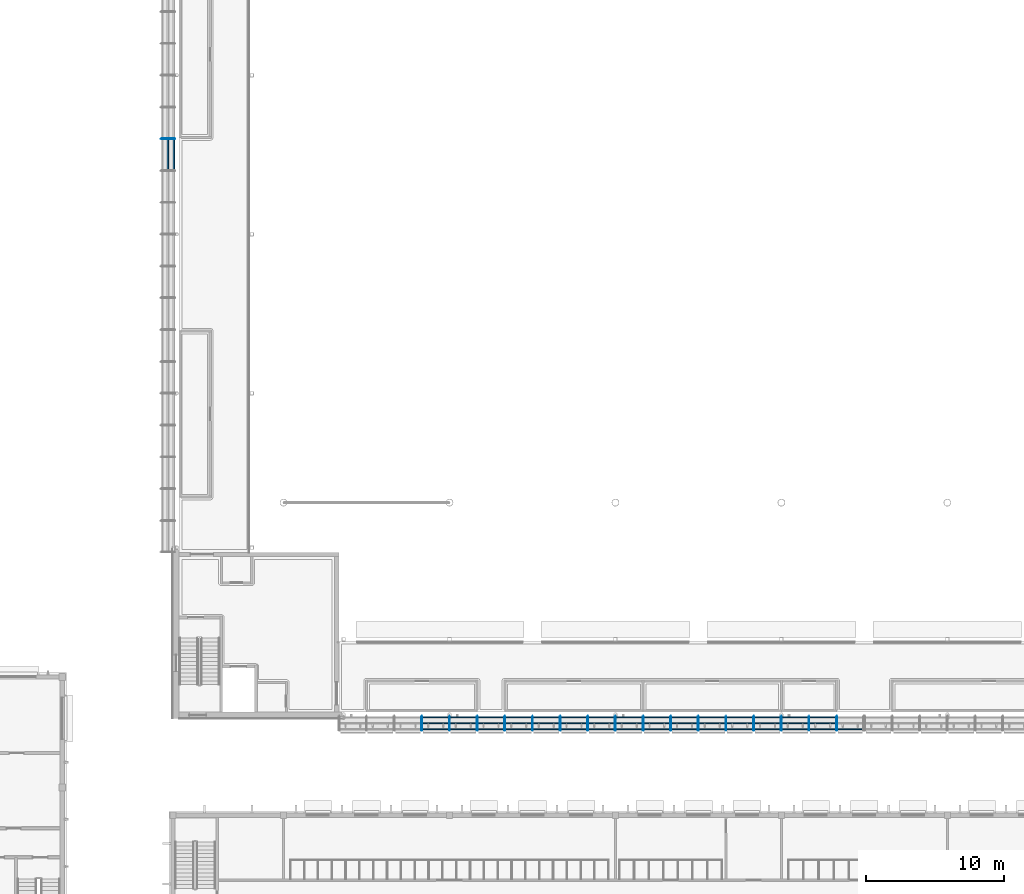
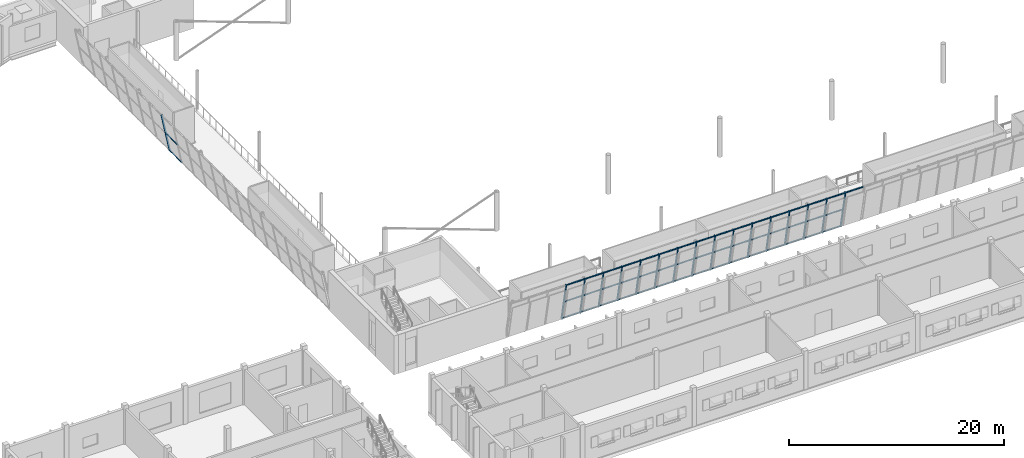
# One storey, part 28 of 115: 65 members, 2 elements without a shape of their own.
"""IFC4 building model written with IfcOpenShell, lengths in metres."""

from ifc_helpers import new_model, si_unit, direction, frame, origin, origin_2d, place, context, subcontext, project, spatial, rectangle, extrude, material, layer, layer_set, material_profile, profile_set, type_object, element, aggregate, save


model = new_model("IFC4")

# Units and contexts
model_context = context("Model", 3, precision=1e-05, world=origin(), true_north=direction((0.0, 1.0)))
body_context = subcontext(model_context, "Body", "Model", "MODEL_VIEW")
ifc_project = project(units=[si_unit("LENGTHUNIT", "METRE"), si_unit("AREAUNIT", "SQUARE_METRE"), si_unit("VOLUMEUNIT", "CUBIC_METRE"), si_unit("PLANEANGLEUNIT", "RADIAN"), si_unit("MASSUNIT", "GRAM", prefix="KILO")], contexts=[model_context])

# Site, building, storey
site_placement = place(None, origin())
site = spatial("IfcSite", under=ifc_project, at=site_placement, CompositionType="ELEMENT")
building_placement = place(site_placement, origin())
building = spatial("IfcBuilding", under=site, at=building_placement, Name="Windward Yard Aquatics Centre", CompositionType="ELEMENT")
storey_placement = place(building_placement, frame((0.0, 0.0, 5.0)))
storey = spatial("IfcBuildingStorey", under=building, at=storey_placement, Name="L01", CompositionType="ELEMENT", Elevation=5.0)

# Curtain wall, members
ifc_material_1 = material(Name="Glass and aluminium curtain wall", Category="aluminium")
ifc_layer = layer(ifc_material_1, 0.179931640625)
ifc_layer_set = layer_set([ifc_layer], Name="H curtain wall tier 1 double glazed 8+16+8")
curtain_wall_type = type_object("IfcCurtainWallType", Name="H curtain wall tier 1 double glazed 8+16+8", PredefinedType="NOTDEFINED", material=ifc_layer_set)
curtain_wall_1_placement = place(storey_placement, origin())
curtain_wall_1 = element("IfcCurtainWall", 1, at=curtain_wall_1_placement, inside=storey, type_object=curtain_wall_type, Name="Tier 1 glazing S L01", PredefinedType="NOTDEFINED")
ifc_material_2 = material(Name="Aluminium 6063-T6 anodised", Category="aluminium")
ifc_material_profile_1 = material_profile(ifc_material_2, rectangle(XDim=0.06494140625, YDim=0.179931640625, at=origin_2d()), Name="H CW mullion 65x180")
ifc_profile_set_1 = profile_set([ifc_material_profile_1], Name="Aluminium 6063-T6 anodised")
member_type_1 = type_object("IfcMemberType", Name="H CW mullion 65x180", PredefinedType="MULLION", material=ifc_profile_set_1)
member_1_placement = place(storey_placement, frame((69.999267578125, 26.088134765625, 0.017822265625), z_axis=(0.0, -0.199380237329, 0.979922201485), x_axis=(1.0, 0.0, 0.0)))
member_1 = element("IfcMember", 2, at=member_1_placement, type_object=member_type_1, Name="G1SA mullion 4", PredefinedType="MULLION", context=body_context, shape_type="SweptSolid", body=[
    extrude(rectangle(XDim=0.06494140625, YDim=0.179931640625, at=origin_2d()), origin(), (0.0, 0.0, 1.0), 4.471923828125),
])
member_2_placement = place(storey_placement, frame((71.9990234375, 26.088134765625, 0.017822265625), z_axis=(0.0, -0.199380237329, 0.979922201485), x_axis=(1.0, 0.0, 0.0)))
member_2 = element("IfcMember", 3, at=member_2_placement, type_object=member_type_1, Name="G1SA mullion 5", PredefinedType="MULLION", context=body_context, shape_type="SweptSolid", body=[
    extrude(rectangle(XDim=0.06494140625, YDim=0.179931640625, at=origin_2d()), origin(), (0.0, 0.0, 1.0), 4.471923828125),
])
member_3_placement = place(storey_placement, frame((73.998779296875, 26.088134765625, 0.017822265625), z_axis=(0.0, -0.199380237329, 0.979922201485), x_axis=(1.0, 0.0, 0.0)))
member_3 = element("IfcMember", 4, at=member_3_placement, type_object=member_type_1, Name="G1SA mullion 6", PredefinedType="MULLION", context=body_context, shape_type="SweptSolid", body=[
    extrude(rectangle(XDim=0.06494140625, YDim=0.179931640625, at=origin_2d()), origin(), (0.0, 0.0, 1.0), 4.471923828125),
])
member_4_placement = place(storey_placement, frame((75.99853515625, 26.088134765625, 0.017822265625), z_axis=(0.0, -0.199380237329, 0.979922201485), x_axis=(1.0, 0.0, 0.0)))
member_4 = element("IfcMember", 5, at=member_4_placement, type_object=member_type_1, Name="G1SA mullion 7", PredefinedType="MULLION", context=body_context, shape_type="SweptSolid", body=[
    extrude(rectangle(XDim=0.06494140625, YDim=0.179931640625, at=origin_2d()), origin(), (0.0, 0.0, 1.0), 4.471923828125),
])
member_5_placement = place(storey_placement, frame((77.998046875, 26.088134765625, 0.017822265625), z_axis=(0.0, -0.199380237329, 0.979922201485), x_axis=(1.0, 0.0, 0.0)))
member_5 = element("IfcMember", 6, at=member_5_placement, type_object=member_type_1, Name="G1SA mullion 8", PredefinedType="MULLION", context=body_context, shape_type="SweptSolid", body=[
    extrude(rectangle(XDim=0.06494140625, YDim=0.179931640625, at=origin_2d()), origin(), (0.0, 0.0, 1.0), 4.471923828125),
])
member_6_placement = place(storey_placement, frame((79.997802734375, 26.088134765625, 0.017822265625), z_axis=(0.0, -0.199380237329, 0.979922201485), x_axis=(1.0, 0.0, 0.0)))
member_6 = element("IfcMember", 7, at=member_6_placement, type_object=member_type_1, Name="G1SA mullion 9", PredefinedType="MULLION", context=body_context, shape_type="SweptSolid", body=[
    extrude(rectangle(XDim=0.06494140625, YDim=0.179931640625, at=origin_2d()), origin(), (0.0, 0.0, 1.0), 4.471923828125),
])
member_7_placement = place(storey_placement, frame((81.99755859375, 26.088134765625, 0.017822265625), z_axis=(0.0, -0.199380237329, 0.979922201485), x_axis=(1.0, 0.0, 0.0)))
member_7 = element("IfcMember", 8, at=member_7_placement, type_object=member_type_1, Name="G1SA mullion 10", PredefinedType="MULLION", context=body_context, shape_type="SweptSolid", body=[
    extrude(rectangle(XDim=0.06494140625, YDim=0.179931640625, at=origin_2d()), origin(), (0.0, 0.0, 1.0), 4.471923828125),
])
member_8_placement = place(storey_placement, frame((83.997314453125, 26.088134765625, 0.017822265625), z_axis=(0.0, -0.199380237329, 0.979922201485), x_axis=(1.0, 0.0, 0.0)))
member_8 = element("IfcMember", 9, at=member_8_placement, type_object=member_type_1, Name="G1SA mullion 11", PredefinedType="MULLION", context=body_context, shape_type="SweptSolid", body=[
    extrude(rectangle(XDim=0.06494140625, YDim=0.179931640625, at=origin_2d()), origin(), (0.0, 0.0, 1.0), 4.471923828125),
])
member_9_placement = place(storey_placement, frame((85.9970703125, 26.088134765625, 0.017822265625), z_axis=(0.0, -0.199380237329, 0.979922201485), x_axis=(1.0, 0.0, 0.0)))
member_9 = element("IfcMember", 10, at=member_9_placement, type_object=member_type_1, Name="G1SA mullion 12", PredefinedType="MULLION", context=body_context, shape_type="SweptSolid", body=[
    extrude(rectangle(XDim=0.06494140625, YDim=0.179931640625, at=origin_2d()), origin(), (0.0, 0.0, 1.0), 4.471923828125),
])
member_10_placement = place(storey_placement, frame((87.996826171875, 26.088134765625, 0.017822265625), z_axis=(0.0, -0.199380237329, 0.979922201485), x_axis=(1.0, 0.0, 0.0)))
member_10 = element("IfcMember", 11, at=member_10_placement, type_object=member_type_1, Name="G1SA mullion 13", PredefinedType="MULLION", context=body_context, shape_type="SweptSolid", body=[
    extrude(rectangle(XDim=0.06494140625, YDim=0.179931640625, at=origin_2d()), origin(), (0.0, 0.0, 1.0), 4.471923828125),
])
member_11_placement = place(storey_placement, frame((89.99658203125, 26.088134765625, 0.017822265625), z_axis=(0.0, -0.199380237329, 0.979922201485), x_axis=(1.0, 0.0, 0.0)))
member_11 = element("IfcMember", 12, at=member_11_placement, type_object=member_type_1, Name="G1SA mullion 14", PredefinedType="MULLION", context=body_context, shape_type="SweptSolid", body=[
    extrude(rectangle(XDim=0.06494140625, YDim=0.179931640625, at=origin_2d()), origin(), (0.0, 0.0, 1.0), 4.471923828125),
])
member_12_placement = place(storey_placement, frame((91.996337890625, 26.088134765625, 0.017822265625), z_axis=(0.0, -0.199380237329, 0.979922201485), x_axis=(1.0, 0.0, 0.0)))
member_12 = element("IfcMember", 13, at=member_12_placement, type_object=member_type_1, Name="G1SA mullion 15", PredefinedType="MULLION", context=body_context, shape_type="SweptSolid", body=[
    extrude(rectangle(XDim=0.06494140625, YDim=0.179931640625, at=origin_2d()), origin(), (0.0, 0.0, 1.0), 4.471923828125),
])
member_13_placement = place(storey_placement, frame((93.99609375, 26.088134765625, 0.017822265625), z_axis=(0.0, -0.199380237329, 0.979922201485), x_axis=(1.0, 0.0, 0.0)))
member_13 = element("IfcMember", 14, at=member_13_placement, type_object=member_type_1, Name="G1SA mullion 16", PredefinedType="MULLION", context=body_context, shape_type="SweptSolid", body=[
    extrude(rectangle(XDim=0.06494140625, YDim=0.179931640625, at=origin_2d()), origin(), (0.0, 0.0, 1.0), 4.471923828125),
])
member_14_placement = place(storey_placement, frame((95.995849609375, 26.088134765625, 0.017822265625), z_axis=(0.0, -0.199380237329, 0.979922201485), x_axis=(1.0, 0.0, 0.0)))
member_14 = element("IfcMember", 15, at=member_14_placement, type_object=member_type_1, Name="G1SA mullion 17", PredefinedType="MULLION", context=body_context, shape_type="SweptSolid", body=[
    extrude(rectangle(XDim=0.06494140625, YDim=0.179931640625, at=origin_2d()), origin(), (0.0, 0.0, 1.0), 4.471923828125),
])
member_15_placement = place(storey_placement, frame((97.99560546875, 26.088134765625, 0.017822265625), z_axis=(0.0, -0.199380237329, 0.979922201485), x_axis=(1.0, 0.0, 0.0)))
member_15 = element("IfcMember", 16, at=member_15_placement, type_object=member_type_1, Name="G1SA mullion 18", PredefinedType="MULLION", context=body_context, shape_type="SweptSolid", body=[
    extrude(rectangle(XDim=0.06494140625, YDim=0.179931640625, at=origin_2d()), origin(), (0.0, 0.0, 1.0), 4.471923828125),
])
member_16_placement = place(storey_placement, frame((99.995361328125, 26.088134765625, 0.017822265625), z_axis=(0.0, -0.199380237329, 0.979922201485), x_axis=(1.0, 0.0, 0.0)))
member_16 = element("IfcMember", 17, at=member_16_placement, type_object=member_type_1, Name="G1SA mullion 19", PredefinedType="MULLION", context=body_context, shape_type="SweptSolid", body=[
    extrude(rectangle(XDim=0.06494140625, YDim=0.179931640625, at=origin_2d()), origin(), (0.0, 0.0, 1.0), 4.471923828125),
])

# Curtain wall, member
curtain_wall_2_placement = place(storey_placement, origin())
curtain_wall_2 = element("IfcCurtainWall", 18, at=curtain_wall_2_placement, inside=storey, type_object=curtain_wall_type, Name="Tier 1 glazing W L01", PredefinedType="NOTDEFINED")
member_17_placement = place(storey_placement, frame((52.088134765625, 67.89990234375, 0.017822265625), z_axis=(-0.199380237329, 0.0, 0.979922201485), x_axis=(0.0, -1.0, 0.0)))
member_17 = element("IfcMember", 19, at=member_17_placement, type_object=member_type_1, Name="G1WA mullion 14", PredefinedType="MULLION", context=body_context, shape_type="SweptSolid", body=[
    extrude(rectangle(XDim=0.06494140625, YDim=0.179931640625, at=origin_2d()), origin(), (0.0, 0.0, 1.0), 4.471923828125),
])

# Member
ifc_material_profile_2 = material_profile(ifc_material_2, rectangle(XDim=0.06494140625, YDim=0.10009765625, at=origin_2d()), Name="H CW transom 65x100")
ifc_profile_set_2 = profile_set([ifc_material_profile_2], Name="Aluminium 6063-T6 anodised")
member_type_2 = type_object("IfcMemberType", Name="H CW transom 65x100", PredefinedType="USERDEFINED", material=ifc_profile_set_2)
member_18_placement = place(storey_placement, frame((70.03173828125, 26.08056640625, 0.055419921875), z_axis=(1.0, 0.0, 0.0), x_axis=(0.0, 0.979924704642, 0.199367934315)))
member_18 = element("IfcMember", 20, at=member_18_placement, type_object=member_type_2, Name="G1SA transom 4.1", ObjectType="TRANSOM", PredefinedType="USERDEFINED", context=body_context, shape_type="SweptSolid", body=[
    extrude(rectangle(XDim=0.06494140625, YDim=0.10009765625, at=origin_2d()), origin(), (0.0, 0.0, 1.0), 1.934814453125),
])

member_19_placement = place(storey_placement, frame((70.03173828125, 25.644287109375, 2.199951171875), z_axis=(1.0, 0.0, 0.0), x_axis=(0.0, 0.979924704642, 0.199367934315)))
member_19 = element("IfcMember", 21, at=member_19_placement, type_object=member_type_2, Name="G1SA transom 4.2", ObjectType="TRANSOM", PredefinedType="USERDEFINED", context=body_context, shape_type="SweptSolid", body=[
    extrude(rectangle(XDim=0.06494140625, YDim=0.10009765625, at=origin_2d()), origin(), (0.0, 0.0, 1.0), 1.934814453125),
])

member_20_placement = place(storey_placement, frame((70.03173828125, 25.20654296875, 4.35107421875), z_axis=(1.0, 0.0, 0.0), x_axis=(0.0, 0.979924704642, 0.199367934315)))
member_20 = element("IfcMember", 22, at=member_20_placement, type_object=member_type_2, Name="G1SA transom 4.3", ObjectType="TRANSOM", PredefinedType="USERDEFINED", context=body_context, shape_type="SweptSolid", body=[
    extrude(rectangle(XDim=0.06494140625, YDim=0.10009765625, at=origin_2d()), origin(), (0.0, 0.0, 1.0), 1.934814453125),
])

member_21_placement = place(storey_placement, frame((72.031494140625, 26.08056640625, 0.055419921875), z_axis=(1.0, 0.0, 0.0), x_axis=(0.0, 0.979924704642, 0.199367934315)))
member_21 = element("IfcMember", 23, at=member_21_placement, type_object=member_type_2, Name="G1SA transom 5.1", ObjectType="TRANSOM", PredefinedType="USERDEFINED", context=body_context, shape_type="SweptSolid", body=[
    extrude(rectangle(XDim=0.06494140625, YDim=0.10009765625, at=origin_2d()), origin(), (0.0, 0.0, 1.0), 1.9345703125),
])

member_22_placement = place(storey_placement, frame((72.031494140625, 25.644287109375, 2.199951171875), z_axis=(1.0, 0.0, 0.0), x_axis=(0.0, 0.979924704642, 0.199367934315)))
member_22 = element("IfcMember", 24, at=member_22_placement, type_object=member_type_2, Name="G1SA transom 5.2", ObjectType="TRANSOM", PredefinedType="USERDEFINED", context=body_context, shape_type="SweptSolid", body=[
    extrude(rectangle(XDim=0.06494140625, YDim=0.10009765625, at=origin_2d()), origin(), (0.0, 0.0, 1.0), 1.9345703125),
])

member_23_placement = place(storey_placement, frame((72.031494140625, 25.20654296875, 4.35107421875), z_axis=(1.0, 0.0, 0.0), x_axis=(0.0, 0.979924704642, 0.199367934315)))
member_23 = element("IfcMember", 25, at=member_23_placement, type_object=member_type_2, Name="G1SA transom 5.3", ObjectType="TRANSOM", PredefinedType="USERDEFINED", context=body_context, shape_type="SweptSolid", body=[
    extrude(rectangle(XDim=0.06494140625, YDim=0.10009765625, at=origin_2d()), origin(), (0.0, 0.0, 1.0), 1.9345703125),
])

member_24_placement = place(storey_placement, frame((74.03125, 26.08056640625, 0.055419921875), z_axis=(1.0, 0.0, 0.0), x_axis=(0.0, 0.979924704642, 0.199367934315)))
member_24 = element("IfcMember", 26, at=member_24_placement, type_object=member_type_2, Name="G1SA transom 6.1", ObjectType="TRANSOM", PredefinedType="USERDEFINED", context=body_context, shape_type="SweptSolid", body=[
    extrude(rectangle(XDim=0.06494140625, YDim=0.10009765625, at=origin_2d()), origin(), (0.0, 0.0, 1.0), 1.9345703125),
])

member_25_placement = place(storey_placement, frame((74.03125, 25.644287109375, 2.199951171875), z_axis=(1.0, 0.0, 0.0), x_axis=(0.0, 0.979924704642, 0.199367934315)))
member_25 = element("IfcMember", 27, at=member_25_placement, type_object=member_type_2, Name="G1SA transom 6.2", ObjectType="TRANSOM", PredefinedType="USERDEFINED", context=body_context, shape_type="SweptSolid", body=[
    extrude(rectangle(XDim=0.06494140625, YDim=0.10009765625, at=origin_2d()), origin(), (0.0, 0.0, 1.0), 1.9345703125),
])

member_26_placement = place(storey_placement, frame((74.03125, 25.20654296875, 4.35107421875), z_axis=(1.0, 0.0, 0.0), x_axis=(0.0, 0.979924704642, 0.199367934315)))
member_26 = element("IfcMember", 28, at=member_26_placement, type_object=member_type_2, Name="G1SA transom 6.3", ObjectType="TRANSOM", PredefinedType="USERDEFINED", context=body_context, shape_type="SweptSolid", body=[
    extrude(rectangle(XDim=0.06494140625, YDim=0.10009765625, at=origin_2d()), origin(), (0.0, 0.0, 1.0), 1.9345703125),
])

member_27_placement = place(storey_placement, frame((76.031005859375, 26.08056640625, 0.055419921875), z_axis=(1.0, 0.0, 0.0), x_axis=(0.0, 0.979924704642, 0.199367934315)))
member_27 = element("IfcMember", 29, at=member_27_placement, type_object=member_type_2, Name="G1SA transom 7.1", ObjectType="TRANSOM", PredefinedType="USERDEFINED", context=body_context, shape_type="SweptSolid", body=[
    extrude(rectangle(XDim=0.06494140625, YDim=0.10009765625, at=origin_2d()), origin(), (0.0, 0.0, 1.0), 1.9345703125),
])

member_28_placement = place(storey_placement, frame((76.031005859375, 25.644287109375, 2.199951171875), z_axis=(1.0, 0.0, 0.0), x_axis=(0.0, 0.979924704642, 0.199367934315)))
member_28 = element("IfcMember", 30, at=member_28_placement, type_object=member_type_2, Name="G1SA transom 7.2", ObjectType="TRANSOM", PredefinedType="USERDEFINED", context=body_context, shape_type="SweptSolid", body=[
    extrude(rectangle(XDim=0.06494140625, YDim=0.10009765625, at=origin_2d()), origin(), (0.0, 0.0, 1.0), 1.9345703125),
])

member_29_placement = place(storey_placement, frame((76.031005859375, 25.20654296875, 4.35107421875), z_axis=(1.0, 0.0, 0.0), x_axis=(0.0, 0.979924704642, 0.199367934315)))
member_29 = element("IfcMember", 31, at=member_29_placement, type_object=member_type_2, Name="G1SA transom 7.3", ObjectType="TRANSOM", PredefinedType="USERDEFINED", context=body_context, shape_type="SweptSolid", body=[
    extrude(rectangle(XDim=0.06494140625, YDim=0.10009765625, at=origin_2d()), origin(), (0.0, 0.0, 1.0), 1.9345703125),
])

member_30_placement = place(storey_placement, frame((78.03076171875, 26.08056640625, 0.055419921875), z_axis=(1.0, 0.0, 0.0), x_axis=(0.0, 0.979924704642, 0.199367934315)))
member_30 = element("IfcMember", 32, at=member_30_placement, type_object=member_type_2, Name="G1SA transom 8.1", ObjectType="TRANSOM", PredefinedType="USERDEFINED", context=body_context, shape_type="SweptSolid", body=[
    extrude(rectangle(XDim=0.06494140625, YDim=0.10009765625, at=origin_2d()), origin(), (0.0, 0.0, 1.0), 1.9345703125),
])

member_31_placement = place(storey_placement, frame((78.03076171875, 25.644287109375, 2.199951171875), z_axis=(1.0, 0.0, 0.0), x_axis=(0.0, 0.979924704642, 0.199367934315)))
member_31 = element("IfcMember", 33, at=member_31_placement, type_object=member_type_2, Name="G1SA transom 8.2", ObjectType="TRANSOM", PredefinedType="USERDEFINED", context=body_context, shape_type="SweptSolid", body=[
    extrude(rectangle(XDim=0.06494140625, YDim=0.10009765625, at=origin_2d()), origin(), (0.0, 0.0, 1.0), 1.9345703125),
])

member_32_placement = place(storey_placement, frame((78.03076171875, 25.20654296875, 4.35107421875), z_axis=(1.0, 0.0, 0.0), x_axis=(0.0, 0.979924704642, 0.199367934315)))
member_32 = element("IfcMember", 34, at=member_32_placement, type_object=member_type_2, Name="G1SA transom 8.3", ObjectType="TRANSOM", PredefinedType="USERDEFINED", context=body_context, shape_type="SweptSolid", body=[
    extrude(rectangle(XDim=0.06494140625, YDim=0.10009765625, at=origin_2d()), origin(), (0.0, 0.0, 1.0), 1.9345703125),
])

member_33_placement = place(storey_placement, frame((80.0302734375, 26.08056640625, 0.055419921875), z_axis=(1.0, 0.0, 0.0), x_axis=(0.0, 0.979924704642, 0.199367934315)))
member_33 = element("IfcMember", 35, at=member_33_placement, type_object=member_type_2, Name="G1SA transom 9.1", ObjectType="TRANSOM", PredefinedType="USERDEFINED", context=body_context, shape_type="SweptSolid", body=[
    extrude(rectangle(XDim=0.06494140625, YDim=0.10009765625, at=origin_2d()), origin(), (0.0, 0.0, 1.0), 1.934814453125),
])

member_34_placement = place(storey_placement, frame((80.0302734375, 25.644287109375, 2.199951171875), z_axis=(1.0, 0.0, 0.0), x_axis=(0.0, 0.979924704642, 0.199367934315)))
member_34 = element("IfcMember", 36, at=member_34_placement, type_object=member_type_2, Name="G1SA transom 9.2", ObjectType="TRANSOM", PredefinedType="USERDEFINED", context=body_context, shape_type="SweptSolid", body=[
    extrude(rectangle(XDim=0.06494140625, YDim=0.10009765625, at=origin_2d()), origin(), (0.0, 0.0, 1.0), 1.934814453125),
])

member_35_placement = place(storey_placement, frame((80.0302734375, 25.20654296875, 4.35107421875), z_axis=(1.0, 0.0, 0.0), x_axis=(0.0, 0.979924704642, 0.199367934315)))
member_35 = element("IfcMember", 37, at=member_35_placement, type_object=member_type_2, Name="G1SA transom 9.3", ObjectType="TRANSOM", PredefinedType="USERDEFINED", context=body_context, shape_type="SweptSolid", body=[
    extrude(rectangle(XDim=0.06494140625, YDim=0.10009765625, at=origin_2d()), origin(), (0.0, 0.0, 1.0), 1.934814453125),
])

member_36_placement = place(storey_placement, frame((82.030029296875, 26.08056640625, 0.055419921875), z_axis=(1.0, 0.0, 0.0), x_axis=(0.0, 0.979924704642, 0.199367934315)))
member_36 = element("IfcMember", 38, at=member_36_placement, type_object=member_type_2, Name="G1SA transom 10.1", ObjectType="TRANSOM", PredefinedType="USERDEFINED", context=body_context, shape_type="SweptSolid", body=[
    extrude(rectangle(XDim=0.06494140625, YDim=0.10009765625, at=origin_2d()), origin(), (0.0, 0.0, 1.0), 1.934814453125),
])

member_37_placement = place(storey_placement, frame((82.030029296875, 25.644287109375, 2.199951171875), z_axis=(1.0, 0.0, 0.0), x_axis=(0.0, 0.979924704642, 0.199367934315)))
member_37 = element("IfcMember", 39, at=member_37_placement, type_object=member_type_2, Name="G1SA transom 10.2", ObjectType="TRANSOM", PredefinedType="USERDEFINED", context=body_context, shape_type="SweptSolid", body=[
    extrude(rectangle(XDim=0.06494140625, YDim=0.10009765625, at=origin_2d()), origin(), (0.0, 0.0, 1.0), 1.934814453125),
])

member_38_placement = place(storey_placement, frame((82.030029296875, 25.20654296875, 4.35107421875), z_axis=(1.0, 0.0, 0.0), x_axis=(0.0, 0.979924704642, 0.199367934315)))
member_38 = element("IfcMember", 40, at=member_38_placement, type_object=member_type_2, Name="G1SA transom 10.3", ObjectType="TRANSOM", PredefinedType="USERDEFINED", context=body_context, shape_type="SweptSolid", body=[
    extrude(rectangle(XDim=0.06494140625, YDim=0.10009765625, at=origin_2d()), origin(), (0.0, 0.0, 1.0), 1.934814453125),
])

member_39_placement = place(storey_placement, frame((84.02978515625, 26.08056640625, 0.055419921875), z_axis=(1.0, 0.0, 0.0), x_axis=(0.0, 0.979924704642, 0.199367934315)))
member_39 = element("IfcMember", 41, at=member_39_placement, type_object=member_type_2, Name="G1SA transom 11.1", ObjectType="TRANSOM", PredefinedType="USERDEFINED", context=body_context, shape_type="SweptSolid", body=[
    extrude(rectangle(XDim=0.06494140625, YDim=0.10009765625, at=origin_2d()), origin(), (0.0, 0.0, 1.0), 1.934814453125),
])

member_40_placement = place(storey_placement, frame((84.02978515625, 25.644287109375, 2.199951171875), z_axis=(1.0, 0.0, 0.0), x_axis=(0.0, 0.979924704642, 0.199367934315)))
member_40 = element("IfcMember", 42, at=member_40_placement, type_object=member_type_2, Name="G1SA transom 11.2", ObjectType="TRANSOM", PredefinedType="USERDEFINED", context=body_context, shape_type="SweptSolid", body=[
    extrude(rectangle(XDim=0.06494140625, YDim=0.10009765625, at=origin_2d()), origin(), (0.0, 0.0, 1.0), 1.934814453125),
])

member_41_placement = place(storey_placement, frame((84.02978515625, 25.20654296875, 4.35107421875), z_axis=(1.0, 0.0, 0.0), x_axis=(0.0, 0.979924704642, 0.199367934315)))
member_41 = element("IfcMember", 43, at=member_41_placement, type_object=member_type_2, Name="G1SA transom 11.3", ObjectType="TRANSOM", PredefinedType="USERDEFINED", context=body_context, shape_type="SweptSolid", body=[
    extrude(rectangle(XDim=0.06494140625, YDim=0.10009765625, at=origin_2d()), origin(), (0.0, 0.0, 1.0), 1.934814453125),
])

member_42_placement = place(storey_placement, frame((86.029541015625, 26.08056640625, 0.055419921875), z_axis=(1.0, 0.0, 0.0), x_axis=(0.0, 0.979924704642, 0.199367934315)))
member_42 = element("IfcMember", 44, at=member_42_placement, type_object=member_type_2, Name="G1SA transom 12.1", ObjectType="TRANSOM", PredefinedType="USERDEFINED", context=body_context, shape_type="SweptSolid", body=[
    extrude(rectangle(XDim=0.06494140625, YDim=0.10009765625, at=origin_2d()), origin(), (0.0, 0.0, 1.0), 1.934814453125),
])

member_43_placement = place(storey_placement, frame((86.029541015625, 25.644287109375, 2.199951171875), z_axis=(1.0, 0.0, 0.0), x_axis=(0.0, 0.979924704642, 0.199367934315)))
member_43 = element("IfcMember", 45, at=member_43_placement, type_object=member_type_2, Name="G1SA transom 12.2", ObjectType="TRANSOM", PredefinedType="USERDEFINED", context=body_context, shape_type="SweptSolid", body=[
    extrude(rectangle(XDim=0.06494140625, YDim=0.10009765625, at=origin_2d()), origin(), (0.0, 0.0, 1.0), 1.934814453125),
])

member_44_placement = place(storey_placement, frame((86.029541015625, 25.20654296875, 4.35107421875), z_axis=(1.0, 0.0, 0.0), x_axis=(0.0, 0.979924704642, 0.199367934315)))
member_44 = element("IfcMember", 46, at=member_44_placement, type_object=member_type_2, Name="G1SA transom 12.3", ObjectType="TRANSOM", PredefinedType="USERDEFINED", context=body_context, shape_type="SweptSolid", body=[
    extrude(rectangle(XDim=0.06494140625, YDim=0.10009765625, at=origin_2d()), origin(), (0.0, 0.0, 1.0), 1.934814453125),
])

member_45_placement = place(storey_placement, frame((88.029296875, 26.08056640625, 0.055419921875), z_axis=(1.0, 0.0, 0.0), x_axis=(0.0, 0.979924704642, 0.199367934315)))
member_45 = element("IfcMember", 47, at=member_45_placement, type_object=member_type_2, Name="G1SA transom 13.1", ObjectType="TRANSOM", PredefinedType="USERDEFINED", context=body_context, shape_type="SweptSolid", body=[
    extrude(rectangle(XDim=0.06494140625, YDim=0.10009765625, at=origin_2d()), origin(), (0.0, 0.0, 1.0), 1.934814453125),
])

member_46_placement = place(storey_placement, frame((88.029296875, 25.644287109375, 2.199951171875), z_axis=(1.0, 0.0, 0.0), x_axis=(0.0, 0.979924704642, 0.199367934315)))
member_46 = element("IfcMember", 48, at=member_46_placement, type_object=member_type_2, Name="G1SA transom 13.2", ObjectType="TRANSOM", PredefinedType="USERDEFINED", context=body_context, shape_type="SweptSolid", body=[
    extrude(rectangle(XDim=0.06494140625, YDim=0.10009765625, at=origin_2d()), origin(), (0.0, 0.0, 1.0), 1.934814453125),
])

member_47_placement = place(storey_placement, frame((88.029296875, 25.20654296875, 4.35107421875), z_axis=(1.0, 0.0, 0.0), x_axis=(0.0, 0.979924704642, 0.199367934315)))
member_47 = element("IfcMember", 49, at=member_47_placement, type_object=member_type_2, Name="G1SA transom 13.3", ObjectType="TRANSOM", PredefinedType="USERDEFINED", context=body_context, shape_type="SweptSolid", body=[
    extrude(rectangle(XDim=0.06494140625, YDim=0.10009765625, at=origin_2d()), origin(), (0.0, 0.0, 1.0), 1.934814453125),
])

member_48_placement = place(storey_placement, frame((90.029052734375, 26.08056640625, 0.055419921875), z_axis=(1.0, 0.0, 0.0), x_axis=(0.0, 0.979924704642, 0.199367934315)))
member_48 = element("IfcMember", 50, at=member_48_placement, type_object=member_type_2, Name="G1SA transom 14.1", ObjectType="TRANSOM", PredefinedType="USERDEFINED", context=body_context, shape_type="SweptSolid", body=[
    extrude(rectangle(XDim=0.06494140625, YDim=0.10009765625, at=origin_2d()), origin(), (0.0, 0.0, 1.0), 1.934814453125),
])

member_49_placement = place(storey_placement, frame((90.029052734375, 25.644287109375, 2.199951171875), z_axis=(1.0, 0.0, 0.0), x_axis=(0.0, 0.979924704642, 0.199367934315)))
member_49 = element("IfcMember", 51, at=member_49_placement, type_object=member_type_2, Name="G1SA transom 14.2", ObjectType="TRANSOM", PredefinedType="USERDEFINED", context=body_context, shape_type="SweptSolid", body=[
    extrude(rectangle(XDim=0.06494140625, YDim=0.10009765625, at=origin_2d()), origin(), (0.0, 0.0, 1.0), 1.934814453125),
])

member_50_placement = place(storey_placement, frame((90.029052734375, 25.20654296875, 4.35107421875), z_axis=(1.0, 0.0, 0.0), x_axis=(0.0, 0.979924704642, 0.199367934315)))
member_50 = element("IfcMember", 52, at=member_50_placement, type_object=member_type_2, Name="G1SA transom 14.3", ObjectType="TRANSOM", PredefinedType="USERDEFINED", context=body_context, shape_type="SweptSolid", body=[
    extrude(rectangle(XDim=0.06494140625, YDim=0.10009765625, at=origin_2d()), origin(), (0.0, 0.0, 1.0), 1.934814453125),
])

member_51_placement = place(storey_placement, frame((92.02880859375, 26.08056640625, 0.055419921875), z_axis=(1.0, 0.0, 0.0), x_axis=(0.0, 0.979924704642, 0.199367934315)))
member_51 = element("IfcMember", 53, at=member_51_placement, type_object=member_type_2, Name="G1SA transom 15.1", ObjectType="TRANSOM", PredefinedType="USERDEFINED", context=body_context, shape_type="SweptSolid", body=[
    extrude(rectangle(XDim=0.06494140625, YDim=0.10009765625, at=origin_2d()), origin(), (0.0, 0.0, 1.0), 1.934814453125),
])

member_52_placement = place(storey_placement, frame((92.02880859375, 25.644287109375, 2.199951171875), z_axis=(1.0, 0.0, 0.0), x_axis=(0.0, 0.979924704642, 0.199367934315)))
member_52 = element("IfcMember", 54, at=member_52_placement, type_object=member_type_2, Name="G1SA transom 15.2", ObjectType="TRANSOM", PredefinedType="USERDEFINED", context=body_context, shape_type="SweptSolid", body=[
    extrude(rectangle(XDim=0.06494140625, YDim=0.10009765625, at=origin_2d()), origin(), (0.0, 0.0, 1.0), 1.934814453125),
])

member_53_placement = place(storey_placement, frame((92.02880859375, 25.20654296875, 4.35107421875), z_axis=(1.0, 0.0, 0.0), x_axis=(0.0, 0.979924704642, 0.199367934315)))
member_53 = element("IfcMember", 55, at=member_53_placement, type_object=member_type_2, Name="G1SA transom 15.3", ObjectType="TRANSOM", PredefinedType="USERDEFINED", context=body_context, shape_type="SweptSolid", body=[
    extrude(rectangle(XDim=0.06494140625, YDim=0.10009765625, at=origin_2d()), origin(), (0.0, 0.0, 1.0), 1.934814453125),
])

member_54_placement = place(storey_placement, frame((94.028564453125, 26.08056640625, 0.055419921875), z_axis=(1.0, 0.0, 0.0), x_axis=(0.0, 0.979924704642, 0.199367934315)))
member_54 = element("IfcMember", 56, at=member_54_placement, type_object=member_type_2, Name="G1SA transom 16.1", ObjectType="TRANSOM", PredefinedType="USERDEFINED", context=body_context, shape_type="SweptSolid", body=[
    extrude(rectangle(XDim=0.06494140625, YDim=0.10009765625, at=origin_2d()), origin(), (0.0, 0.0, 1.0), 1.934814453125),
])

member_55_placement = place(storey_placement, frame((94.028564453125, 25.644287109375, 2.199951171875), z_axis=(1.0, 0.0, 0.0), x_axis=(0.0, 0.979924704642, 0.199367934315)))
member_55 = element("IfcMember", 57, at=member_55_placement, type_object=member_type_2, Name="G1SA transom 16.2", ObjectType="TRANSOM", PredefinedType="USERDEFINED", context=body_context, shape_type="SweptSolid", body=[
    extrude(rectangle(XDim=0.06494140625, YDim=0.10009765625, at=origin_2d()), origin(), (0.0, 0.0, 1.0), 1.934814453125),
])

member_56_placement = place(storey_placement, frame((94.028564453125, 25.20654296875, 4.35107421875), z_axis=(1.0, 0.0, 0.0), x_axis=(0.0, 0.979924704642, 0.199367934315)))
member_56 = element("IfcMember", 58, at=member_56_placement, type_object=member_type_2, Name="G1SA transom 16.3", ObjectType="TRANSOM", PredefinedType="USERDEFINED", context=body_context, shape_type="SweptSolid", body=[
    extrude(rectangle(XDim=0.06494140625, YDim=0.10009765625, at=origin_2d()), origin(), (0.0, 0.0, 1.0), 1.934814453125),
])

member_57_placement = place(storey_placement, frame((96.0283203125, 26.08056640625, 0.055419921875), z_axis=(1.0, 0.0, 0.0), x_axis=(0.0, 0.979924704642, 0.199367934315)))
member_57 = element("IfcMember", 59, at=member_57_placement, type_object=member_type_2, Name="G1SA transom 17.1", ObjectType="TRANSOM", PredefinedType="USERDEFINED", context=body_context, shape_type="SweptSolid", body=[
    extrude(rectangle(XDim=0.06494140625, YDim=0.10009765625, at=origin_2d()), origin(), (0.0, 0.0, 1.0), 1.934814453125),
])

member_58_placement = place(storey_placement, frame((96.0283203125, 25.644287109375, 2.199951171875), z_axis=(1.0, 0.0, 0.0), x_axis=(0.0, 0.979924704642, 0.199367934315)))
member_58 = element("IfcMember", 60, at=member_58_placement, type_object=member_type_2, Name="G1SA transom 17.2", ObjectType="TRANSOM", PredefinedType="USERDEFINED", context=body_context, shape_type="SweptSolid", body=[
    extrude(rectangle(XDim=0.06494140625, YDim=0.10009765625, at=origin_2d()), origin(), (0.0, 0.0, 1.0), 1.934814453125),
])

member_59_placement = place(storey_placement, frame((96.0283203125, 25.20654296875, 4.35107421875), z_axis=(1.0, 0.0, 0.0), x_axis=(0.0, 0.979924704642, 0.199367934315)))
member_59 = element("IfcMember", 61, at=member_59_placement, type_object=member_type_2, Name="G1SA transom 17.3", ObjectType="TRANSOM", PredefinedType="USERDEFINED", context=body_context, shape_type="SweptSolid", body=[
    extrude(rectangle(XDim=0.06494140625, YDim=0.10009765625, at=origin_2d()), origin(), (0.0, 0.0, 1.0), 1.934814453125),
])

member_60_placement = place(storey_placement, frame((98.028076171875, 26.08056640625, 0.055419921875), z_axis=(1.0, 0.0, 0.0), x_axis=(0.0, 0.979924704642, 0.199367934315)))
member_60 = element("IfcMember", 62, at=member_60_placement, type_object=member_type_2, Name="G1SA transom 18.1", ObjectType="TRANSOM", PredefinedType="USERDEFINED", context=body_context, shape_type="SweptSolid", body=[
    extrude(rectangle(XDim=0.06494140625, YDim=0.10009765625, at=origin_2d()), origin(), (0.0, 0.0, 1.0), 1.9345703125),
])

member_61_placement = place(storey_placement, frame((98.028076171875, 25.644287109375, 2.199951171875), z_axis=(1.0, 0.0, 0.0), x_axis=(0.0, 0.979924704642, 0.199367934315)))
member_61 = element("IfcMember", 63, at=member_61_placement, type_object=member_type_2, Name="G1SA transom 18.2", ObjectType="TRANSOM", PredefinedType="USERDEFINED", context=body_context, shape_type="SweptSolid", body=[
    extrude(rectangle(XDim=0.06494140625, YDim=0.10009765625, at=origin_2d()), origin(), (0.0, 0.0, 1.0), 1.9345703125),
])

member_62_placement = place(storey_placement, frame((98.028076171875, 25.20654296875, 4.35107421875), z_axis=(1.0, 0.0, 0.0), x_axis=(0.0, 0.979924704642, 0.199367934315)))
member_62 = element("IfcMember", 64, at=member_62_placement, type_object=member_type_2, Name="G1SA transom 18.3", ObjectType="TRANSOM", PredefinedType="USERDEFINED", context=body_context, shape_type="SweptSolid", body=[
    extrude(rectangle(XDim=0.06494140625, YDim=0.10009765625, at=origin_2d()), origin(), (0.0, 0.0, 1.0), 1.9345703125),
])

member_63_placement = place(storey_placement, frame((100.02783203125, 25.20654296875, 4.35107421875), z_axis=(1.0, 0.0, 0.0), x_axis=(0.0, 0.979924704642, 0.199367934315)))
member_63 = element("IfcMember", 65, at=member_63_placement, type_object=member_type_2, Name="G1SA transom 19.3", ObjectType="TRANSOM", PredefinedType="USERDEFINED", context=body_context, shape_type="SweptSolid", body=[
    extrude(rectangle(XDim=0.06494140625, YDim=0.10009765625, at=origin_2d()), origin(), (0.0, 0.0, 1.0), 1.902099609375),
])

aggregate(curtain_wall_1, [member_1, member_2, member_3, member_4, member_5, member_6, member_7, member_8, member_9, member_10, member_11, member_12, member_13, member_14, member_15, member_16, member_18, member_19, member_20, member_21, member_22, member_23, member_24, member_25, member_26, member_27, member_28, member_29, member_30, member_31, member_32, member_33, member_34, member_35, member_36, member_37, member_38, member_39, member_40, member_41, member_42, member_43, member_44, member_45, member_46, member_47, member_48, member_49, member_50, member_51, member_52, member_53, member_54, member_55, member_56, member_57, member_58, member_59, member_60, member_61, member_62, member_63])

member_64_placement = place(storey_placement, frame((52.08056640625, 65.632568359375, 0.055419921875), z_axis=(0.0, 1.0, 0.0), x_axis=(0.979924704642, 0.0, 0.199367934315)))
member_64 = element("IfcMember", 66, at=member_64_placement, type_object=member_type_2, Name="G1WA transom 13.1", ObjectType="TRANSOM", PredefinedType="USERDEFINED", context=body_context, shape_type="SweptSolid", body=[
    extrude(rectangle(XDim=0.06494140625, YDim=0.10009765625, at=origin_2d()), origin(), (0.0, 0.0, 1.0), 2.23486328125),
])

member_65_placement = place(storey_placement, frame((51.644287109375, 65.632568359375, 2.199951171875), z_axis=(0.0, 1.0, 0.0), x_axis=(0.979924704642, 0.0, 0.199367934315)))
member_65 = element("IfcMember", 67, at=member_65_placement, type_object=member_type_2, Name="G1WA transom 13.2", ObjectType="TRANSOM", PredefinedType="USERDEFINED", context=body_context, shape_type="SweptSolid", body=[
    extrude(rectangle(XDim=0.06494140625, YDim=0.10009765625, at=origin_2d()), origin(), (0.0, 0.0, 1.0), 2.23486328125),
])

aggregate(curtain_wall_2, [member_17, member_64, member_65])

save(model, "model.ifc")
